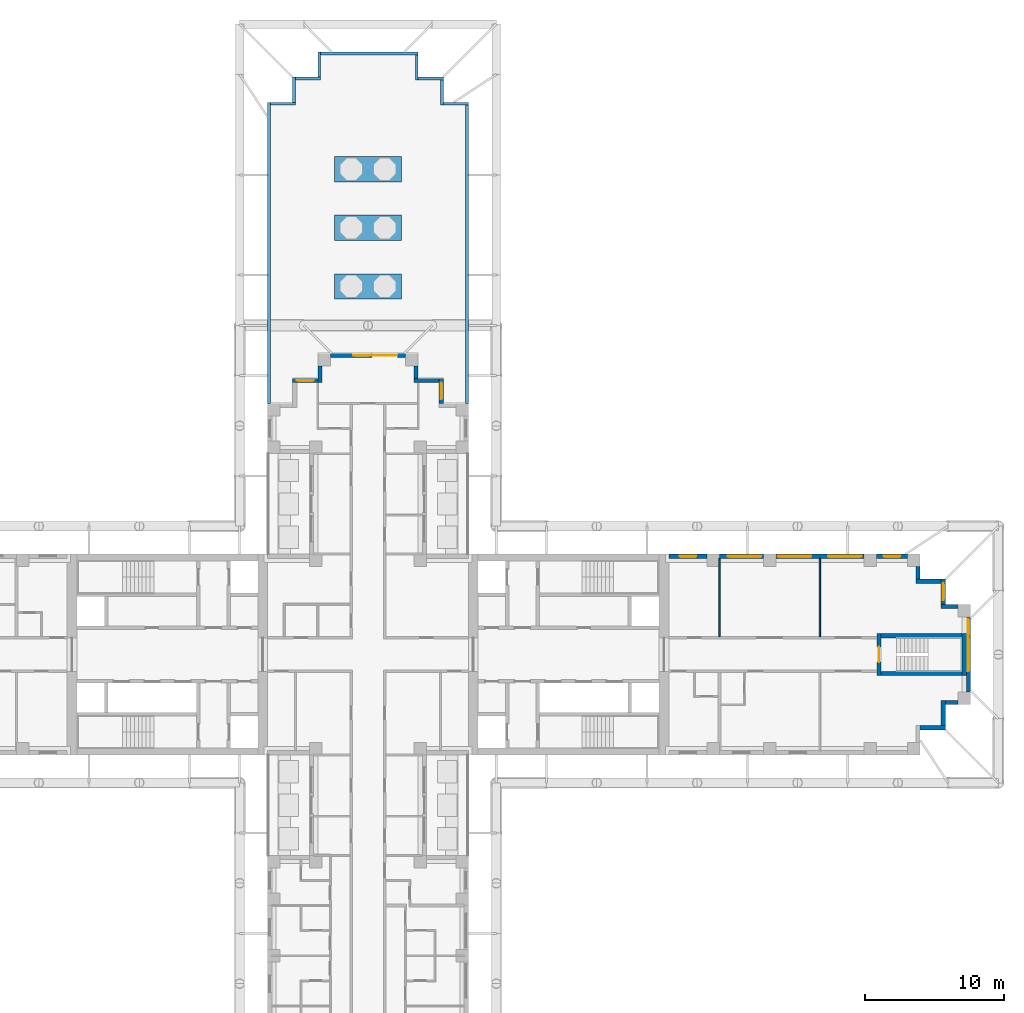
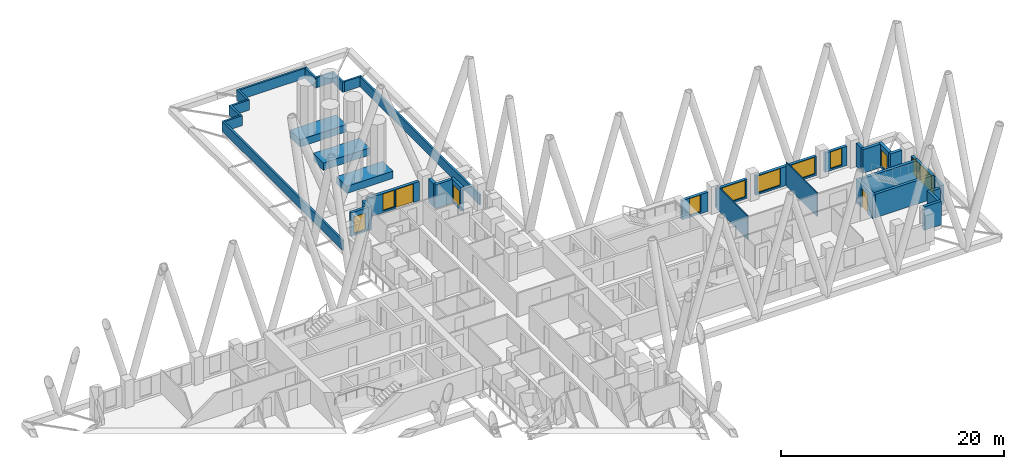
# One storey, part 12 of 16: 38 walls, 11 windows, 2 doors, 13 openings.
"""IFC4 building model written with IfcOpenShell, lengths in metres."""

from ifc_helpers import new_model, si_unit, direction, frame, frame_2d, origin, place, context, subcontext, project, spatial, rectangle, extrude, material, layer, layer_set, type_object, element, fill, save


model = new_model("IFC4")

# Units and contexts
model_context = context("Model", 3, precision=1e-05, world=origin(), true_north=direction((0.0, 1.0)))
body_context = subcontext(model_context, "Body", "Model", "MODEL_VIEW")
ifc_project = project(units=[si_unit("LENGTHUNIT", "METRE"), si_unit("AREAUNIT", "SQUARE_METRE"), si_unit("VOLUMEUNIT", "CUBIC_METRE"), si_unit("PLANEANGLEUNIT", "RADIAN"), si_unit("MASSUNIT", "GRAM", prefix="KILO")], contexts=[model_context])

# Site, building, storey
site_placement = place(None, origin())
site = spatial("IfcSite", under=ifc_project, at=site_placement, CompositionType="ELEMENT")
building_placement = place(site_placement, origin())
building = spatial("IfcBuilding", under=site, at=building_placement, Name="Fustian Cross Tower", CompositionType="ELEMENT")
storey_placement = place(building_placement, frame((0.0, 0.0, 66.89990234375)))
storey = spatial("IfcBuildingStorey", under=building, at=storey_placement, Name="L20", CompositionType="ELEMENT", Elevation=66.89990234375)

# Walls
ifc_material_1 = material(Name="Dark rainscreen cladding on blockwork", Category="masonry")
ifc_layer_1 = layer(ifc_material_1, 0.199951171875)
ifc_layer_set_1 = layer_set([ifc_layer_1], Name="Dark rainscreen cladding on blockwork")
wall_type_1 = type_object("IfcWallType", Name="PARAPET 200", PredefinedType="PARAPET", material=ifc_layer_set_1)
wall_1_placement = place(storey_placement, frame((7.10009765625, 18.0, 0.0), z_axis=(0.0, 0.0, 1.0), x_axis=(0.0, 1.0, 0.0)))
element("IfcWall", 1, at=wall_1_placement, inside=storey, type_object=wall_type_1, Name="Terrace parapet L20 1", PredefinedType="PARAPET", context=body_context, shape_type="SweptSolid", body=[
    extrude(rectangle(XDim=21.39990234375, YDim=0.199951171875, at=frame_2d((10.699951171875, 0.0))), origin(), (0.0, 0.0, 1.0), 1.10009765625),
])
for number, where, z_axis, x_axis, name in (
    (2, (7.199951171875, 39.5, 0.0), (0.0, 0.0, 1.0), (-1.0, 0.0, 0.0), "Terrace parapet L20 2"),
    (3, (5.300048828125, 39.39990234375, 0.0), (0.0, 0.0, 1.0), (0.0, 1.0, 0.0), "Terrace parapet L20 3"),
):
    element("IfcWall", number, at=place(storey_placement, frame(where, z_axis=z_axis, x_axis=x_axis)), inside=storey, type_object=wall_type_1, Name=name, PredefinedType="PARAPET", context=body_context, shape_type="SweptSolid", body=[
        extrude(rectangle(XDim=1.800048828125, YDim=0.199951171875, at=frame_2d((0.89990234375, 0.0))), origin(), (0.0, 0.0, 1.0), 1.10009765625),
    ])
wall_2_placement = place(storey_placement, frame((5.39990234375, 41.300048828125, 0.0), z_axis=(0.0, 0.0, 1.0), x_axis=(-1.0, 0.0, 0.0)))
element("IfcWall", 4, at=wall_2_placement, inside=storey, type_object=wall_type_1, Name="Terrace parapet L20 4", PredefinedType="PARAPET", context=body_context, shape_type="SweptSolid", body=[
    extrude(rectangle(XDim=1.7998046875, YDim=0.199951171875, at=frame_2d((0.89990234375, 0.0))), origin(), (0.0, 0.0, 1.0), 1.10009765625),
])
wall_3_placement = place(storey_placement, frame((3.5, 41.199951171875, 0.0), z_axis=(0.0, 0.0, 1.0), x_axis=(0.0, 1.0, 0.0)))
element("IfcWall", 5, at=wall_3_placement, inside=storey, type_object=wall_type_1, Name="Terrace parapet L20 5", PredefinedType="PARAPET", context=body_context, shape_type="SweptSolid", body=[
    extrude(rectangle(XDim=1.800048828125, YDim=0.199951171875, at=frame_2d((0.89990234375, 0.0))), origin(), (0.0, 0.0, 1.0), 1.10009765625),
])
wall_4_placement = place(storey_placement, frame((3.60009765625, 43.10009765625, 0.0), z_axis=(0.0, 0.0, 1.0), x_axis=(-1.0, 0.0, 0.0)))
element("IfcWall", 6, at=wall_4_placement, inside=storey, type_object=wall_type_1, Name="Terrace parapet L20 6", PredefinedType="PARAPET", context=body_context, shape_type="SweptSolid", body=[
    extrude(rectangle(XDim=7.0, YDim=0.199951171875, at=frame_2d((3.5, 0.0))), origin(), (0.0, 0.0, 1.0), 1.10009765625),
])
for number, where, z_axis, x_axis, name in (
    (7, (-3.5, 43.199951171875, 0.0), (0.0, 0.0, 1.0), (0.0, -1.0, 0.0), "Terrace parapet L20 7"),
    (8, (-3.39990234375, 41.300048828125, 0.0), (0.0, 0.0, 1.0), (-1.0, 0.0, 0.0), "Terrace parapet L20 8"),
):
    element("IfcWall", number, at=place(storey_placement, frame(where, z_axis=z_axis, x_axis=x_axis)), inside=storey, type_object=wall_type_1, Name=name, PredefinedType="PARAPET", context=body_context, shape_type="SweptSolid", body=[
        extrude(rectangle(XDim=1.800048828125, YDim=0.199951171875, at=frame_2d((0.89990234375, 0.0))), origin(), (0.0, 0.0, 1.0), 1.10009765625),
    ])
wall_5_placement = place(storey_placement, frame((-5.300048828125, 41.39990234375, 0.0), z_axis=(0.0, 0.0, 1.0), x_axis=(0.0, -1.0, 0.0)))
element("IfcWall", 9, at=wall_5_placement, inside=storey, type_object=wall_type_1, Name="Terrace parapet L20 9", PredefinedType="PARAPET", context=body_context, shape_type="SweptSolid", body=[
    extrude(rectangle(XDim=1.7998046875, YDim=0.199951171875, at=frame_2d((0.89990234375, 0.0))), origin(), (0.0, 0.0, 1.0), 1.10009765625),
])
wall_6_placement = place(storey_placement, frame((-5.199951171875, 39.5, 0.0), z_axis=(0.0, 0.0, 1.0), x_axis=(-1.0, 0.0, 0.0)))
element("IfcWall", 10, at=wall_6_placement, inside=storey, type_object=wall_type_1, Name="Terrace parapet L20 10", PredefinedType="PARAPET", context=body_context, shape_type="SweptSolid", body=[
    extrude(rectangle(XDim=1.800048828125, YDim=0.199951171875, at=frame_2d((0.89990234375, 0.0))), origin(), (0.0, 0.0, 1.0), 1.10009765625),
])
wall_7_placement = place(storey_placement, frame((-7.10009765625, 39.60009765625, 0.0), z_axis=(0.0, 0.0, 1.0), x_axis=(0.0, -1.0, 0.0)))
element("IfcWall", 11, at=wall_7_placement, inside=storey, type_object=wall_type_1, Name="Terrace parapet L20 11", PredefinedType="PARAPET", context=body_context, shape_type="SweptSolid", body=[
    extrude(rectangle(XDim=21.60009765625, YDim=0.199951171875, at=frame_2d((10.800048828125, 0.0))), origin(), (0.0, 0.0, 1.0), 1.10009765625),
])
ifc_material_2 = material(Name="Plasterboard on steel stud", Category="steel")
ifc_layer_2 = layer(ifc_material_2, 0.10009765625)
ifc_layer_set_2 = layer_set([ifc_layer_2], Name="Plasterboard on steel stud")
wall_type_2 = type_object("IfcWallType", Name="PARTITION 100 STUD", PredefinedType="PARTITIONING", material=ifc_layer_set_2)
for number, where, z_axis, x_axis, name in (
    (12, (25.199951171875, 1.27490234375, 0.0), (0.0, 0.0, 1.0), (0.0, 1.0, 0.0), "Partition 90"),
    (13, (32.39990234375, 1.27490234375, 0.0), (0.0, 0.0, 1.0), (0.0, 1.0, 0.0), "Partition 93"),
):
    element("IfcWall", number, at=place(storey_placement, frame(where, z_axis=z_axis, x_axis=x_axis)), inside=storey, type_object=wall_type_2, Name=name, PredefinedType="PARTITIONING", context=body_context, shape_type="SweptSolid", body=[
        extrude(rectangle(XDim=5.625, YDim=0.10009765625, at=frame_2d((2.8125, 0.0))), origin(), (0.0, 0.0, 1.0), 2.5751953125),
    ])
ifc_material_3 = material(Name="Concrete C40/50", Category="concrete")
ifc_layer_3 = layer(ifc_material_3, 1.800048828125)
ifc_layer_set_3 = layer_set([ifc_layer_3], Name="Concrete C40/50")
wall_type_3 = type_object("IfcWallType", Name="PLANTER KERB 1800", PredefinedType="SOLIDWALL", material=ifc_layer_set_3)
for number, where, z_axis, x_axis, name in (
    (14, (-2.39990234375, 26.39990234375, 0.0), (0.0, 0.0, 1.0), (1.0, 0.0, 0.0), "PLANTER L2011"),
    (15, (-2.39990234375, 30.60009765625, 0.0), (0.0, 0.0, 1.0), (1.0, 0.0, 0.0), "PLANTER L2012"),
    (16, (-2.39990234375, 34.800048828125, 0.0), (0.0, 0.0, 1.0), (1.0, 0.0, 0.0), "PLANTER L2013"),
):
    element("IfcWall", number, at=place(storey_placement, frame(where, z_axis=z_axis, x_axis=x_axis)), inside=storey, type_object=wall_type_3, Name=name, PredefinedType="SOLIDWALL", context=body_context, shape_type="SweptSolid", body=[
        extrude(rectangle(XDim=4.7998046875, YDim=1.800048828125, at=frame_2d((2.39990234375, 0.0))), origin(), (0.0, 0.0, 1.0), 0.800048828125),
    ])

# Wall, opening, door
ifc_material_4 = material(Name="Concrete C50/60", Category="concrete")
ifc_layer_4 = layer(ifc_material_4, 0.300048828125)
ifc_layer_set_4 = layer_set([ifc_layer_4], Name="Concrete C50/60")
wall_type_4 = type_object("IfcWallType", Name="STAIR ENCLOSURE WALL 300 C50/60", PredefinedType="SHEAR", material=ifc_layer_set_4)
wall_8_placement = place(storey_placement, frame((36.64990234375, -1.5, 0.0), z_axis=(0.0, 0.0, 1.0), x_axis=(0.0, 1.0, 0.0)))
wall_8 = element("IfcWall", 17, at=wall_8_placement, inside=storey, type_object=wall_type_4, Name="Stair enclosure wall", PredefinedType="SHEAR", context=body_context, shape_type="SweptSolid", body=[
    extrude(rectangle(XDim=3.0, YDim=0.300048828125, at=frame_2d((1.5, 0.0))), origin(), (0.0, 0.0, 1.0), 2.5751953125),
])
opening_1_placement = place(wall_8_placement, frame((0.949951171875, 0.0, 0.0)))
opening_1 = element("IfcOpeningElement", 18, at=opening_1_placement, cuts=wall_8, Name="Opening CD-09-30", PredefinedType="OPENING", context=body_context, shape_type="SweptSolid", body=[
    extrude(rectangle(XDim=1.10009765625, YDim=2.10009765625, at=frame_2d((0.550048828125, 1.050048828125))), frame((0.0, 0.159912109375, 0.0), z_axis=(0.0, -1.0, 0.0), x_axis=(1.0, 0.0, 0.0)), (0.0, 0.0, 1.0), 0.320068359375),
])
ifc_material_5 = material(Name="Steel", Category="steel")
door_type_1 = type_object("IfcDoorType", Name="FIRE DOOR FD60S 1100X2100", OperationType="SINGLE_SWING_LEFT", PredefinedType="DOOR", material=ifc_material_5)
door_1_placement = place(opening_1_placement, frame((1.10009765625, 0.0, 0.0), z_axis=(0.0, 0.0, 1.0), x_axis=(-1.0, 0.0, 0.0)))
door_1 = element("IfcDoor", 19, at=door_1_placement, inside=storey, type_object=door_type_1, Name="Core door CD-09-30", OperationType="SINGLE_SWING_RIGHT", OverallHeight=2.10009765625, OverallWidth=1.10009765625, PredefinedType="DOOR", context=body_context, shape_type="SweptSolid", body=[
    extrude(rectangle(XDim=1.10009765625, YDim=2.10009765625, at=frame_2d((0.550048828125, 1.050048828125))), frame((0.0, 0.02490234375, 0.0), z_axis=(0.0, -1.0, 0.0), x_axis=(1.0, 0.0, 0.0)), (0.0, 0.0, 1.0), 0.050048828125),
])
fill(opening_1, door_1)

# Walls
wall_9_placement = place(storey_placement, frame((42.75, -1.5, 0.0), z_axis=(0.0, 0.0, 1.0), x_axis=(0.0, 1.0, 0.0)))
element("IfcWall", 20, at=wall_9_placement, inside=storey, type_object=wall_type_4, Name="Stair enclosure wall", PredefinedType="SHEAR", context=body_context, shape_type="SweptSolid", body=[
    extrude(rectangle(XDim=3.0, YDim=0.300048828125, at=frame_2d((1.5, 0.0))), origin(), (0.0, 0.0, 1.0), 2.5751953125),
])
for number, where, z_axis, x_axis, name in (
    (21, (36.800048828125, -1.35009765625, 0.0), (0.0, 0.0, 1.0), (1.0, 0.0, 0.0), "Stair enclosure wall"),
    (22, (36.800048828125, 1.35009765625, 0.0), (0.0, 0.0, 1.0), (1.0, 0.0, 0.0), "Stair enclosure wall"),
):
    element("IfcWall", number, at=place(storey_placement, frame(where, z_axis=z_axis, x_axis=x_axis)), inside=storey, type_object=wall_type_4, Name=name, PredefinedType="SHEAR", context=body_context, shape_type="SweptSolid", body=[
        extrude(rectangle(XDim=5.800048828125, YDim=0.300048828125, at=frame_2d((2.89990234375, 0.0))), origin(), (0.0, 0.0, 1.0), 2.5751953125),
    ])
ifc_material_6 = material(Name="Dark aluminium cladding on insulated backing wall", Category="aluminium")
ifc_layer_5 = layer(ifc_material_6, 0.300048828125)
ifc_layer_set_5 = layer_set([ifc_layer_5], Name="Dark aluminium cladding on insulated backing wall")
wall_type_5 = type_object("IfcWallType", Name="XW1 EXTERNAL WALL 300", PredefinedType="SOLIDWALL", material=ifc_layer_set_5)
wall_10_placement = place(storey_placement, frame((39.60009765625, -5.25, 0.0), z_axis=(0.0, 0.0, 1.0), x_axis=(1.0, 0.0, 0.0)))
element("IfcWall", 23, at=wall_10_placement, inside=storey, type_object=wall_type_5, Name="External wall", PredefinedType="SOLIDWALL", context=body_context, shape_type="SweptSolid", body=[
    extrude(rectangle(XDim=1.7998046875, YDim=0.300048828125, at=frame_2d((0.89990234375, 0.0))), origin(), (0.0, 0.0, 1.0), 2.5751953125),
])
wall_11_placement = place(storey_placement, frame((41.25, -5.10009765625, 0.0), z_axis=(0.0, 0.0, 1.0), x_axis=(0.0, 1.0, 0.0)))
element("IfcWall", 24, at=wall_11_placement, inside=storey, type_object=wall_type_5, Name="External wall", PredefinedType="SOLIDWALL", context=body_context, shape_type="SweptSolid", body=[
    extrude(rectangle(XDim=1.800048828125, YDim=0.300048828125, at=frame_2d((0.89990234375, 0.0))), origin(), (0.0, 0.0, 1.0), 2.5751953125),
])
wall_12_placement = place(storey_placement, frame((41.39990234375, -3.449951171875, 0.0), z_axis=(0.0, 0.0, 1.0), x_axis=(1.0, 0.0, 0.0)))
element("IfcWall", 25, at=wall_12_placement, inside=storey, type_object=wall_type_5, Name="External wall", PredefinedType="SOLIDWALL", context=body_context, shape_type="SweptSolid", body=[
    extrude(rectangle(XDim=0.900146484375, YDim=0.300048828125, at=frame_2d((0.4501953125, 0.0))), origin(), (0.0, 0.0, 1.0), 2.5751953125),
])

# Wall, openings, windows
wall_13_placement = place(storey_placement, frame((43.050048828125, -2.699951171875, 0.0), z_axis=(0.0, 0.0, 1.0), x_axis=(0.0, 1.0, 0.0)))
wall_13 = element("IfcWall", 26, at=wall_13_placement, inside=storey, type_object=wall_type_5, Name="External wall", PredefinedType="SOLIDWALL", context=body_context, shape_type="SweptSolid", body=[
    extrude(rectangle(XDim=5.39990234375, YDim=0.300048828125, at=frame_2d((2.699951171875, 0.0))), origin(), (0.0, 0.0, 1.0), 2.10009765625),
])
opening_2_placement = place(wall_13_placement, frame((1.5, 0.0, 0.199951171875)))
opening_2 = element("IfcOpeningElement", 27, at=opening_2_placement, cuts=wall_13, Name="Opening WN1", PredefinedType="OPENING", context=body_context, shape_type="SweptSolid", body=[
    extrude(rectangle(XDim=2.39990234375, YDim=1.85009765625, at=frame_2d((1.199951171875, 0.925048828125))), frame((0.0, 0.159912109375, 0.0), z_axis=(0.0, -1.0, 0.0), x_axis=(1.0, 0.0, 0.0)), (0.0, 0.0, 1.0), 0.320068359375),
])
opening_3_placement = place(wall_13_placement, frame((4.050048828125, 0.0, 0.199951171875)))
opening_3 = element("IfcOpeningElement", 28, at=opening_3_placement, cuts=wall_13, Name="Opening WN3", PredefinedType="OPENING", context=body_context, shape_type="SweptSolid", body=[
    extrude(rectangle(XDim=1.199951171875, YDim=1.85009765625, at=frame_2d((0.60009765625, 0.925048828125))), frame((0.0, 0.159912109375, 0.0), z_axis=(0.0, -1.0, 0.0), x_axis=(1.0, 0.0, 0.0)), (0.0, 0.0, 1.0), 0.320068359375),
])
ifc_material_7 = material(Name="Dark anodised aluminium and double glazing", Category="aluminium")
window_type_1 = type_object("IfcWindowType", Name="WN1 WINDOW 2400X1850", PartitioningType="SINGLE_PANEL", PredefinedType="WINDOW", material=ifc_material_7)
window_1_placement = place(opening_2_placement, origin())
window_1 = element("IfcWindow", 29, at=window_1_placement, inside=storey, type_object=window_type_1, Name="Window", OverallHeight=1.85009765625, OverallWidth=2.39990234375, PartitioningType="SINGLE_PANEL", PredefinedType="WINDOW", context=body_context, shape_type="SweptSolid", body=[
    extrude(rectangle(XDim=2.39990234375, YDim=1.85009765625, at=frame_2d((1.199951171875, 0.925048828125))), frame((0.0, 0.030029296875, 0.0), z_axis=(0.0, -1.0, 0.0), x_axis=(1.0, 0.0, 0.0)), (0.0, 0.0, 1.0), 0.06005859375),
])
fill(opening_2, window_1)
ifc_material_8 = material(Name="Dark anodised aluminium and double glazing", Category="aluminium")
window_type_2 = type_object("IfcWindowType", Name="WN3 WINDOW 1200X1850", PartitioningType="SINGLE_PANEL", PredefinedType="WINDOW", material=ifc_material_8)
window_2_placement = place(opening_3_placement, origin())
window_2 = element("IfcWindow", 30, at=window_2_placement, inside=storey, type_object=window_type_2, Name="Window", OverallHeight=1.85009765625, OverallWidth=1.199951171875, PartitioningType="SINGLE_PANEL", PredefinedType="WINDOW", context=body_context, shape_type="SweptSolid", body=[
    extrude(rectangle(XDim=1.199951171875, YDim=1.85009765625, at=frame_2d((0.60009765625, 0.925048828125))), frame((0.0, 0.030029296875, 0.0), z_axis=(0.0, -1.0, 0.0), x_axis=(1.0, 0.0, 0.0)), (0.0, 0.0, 1.0), 0.06005859375),
])
fill(opening_3, window_2)

# Wall
wall_14_placement = place(storey_placement, frame((42.300048828125, 3.449951171875, 0.0), z_axis=(0.0, 0.0, 1.0), x_axis=(-1.0, 0.0, 0.0)))
element("IfcWall", 31, at=wall_14_placement, inside=storey, type_object=wall_type_5, Name="External wall", PredefinedType="SOLIDWALL", context=body_context, shape_type="SweptSolid", body=[
    extrude(rectangle(XDim=1.199951171875, YDim=0.300048828125, at=frame_2d((0.60009765625, 0.0))), origin(), (0.0, 0.0, 1.0), 2.5751953125),
])

# Wall, opening, window
wall_15_placement = place(storey_placement, frame((41.25, 3.60009765625, 0.0), z_axis=(0.0, 0.0, 1.0), x_axis=(0.0, 1.0, 0.0)))
wall_15 = element("IfcWall", 32, at=wall_15_placement, inside=storey, type_object=wall_type_5, Name="External wall", PredefinedType="SOLIDWALL", context=body_context, shape_type="SweptSolid", body=[
    extrude(rectangle(XDim=1.7998046875, YDim=0.300048828125, at=frame_2d((0.89990234375, 0.0))), origin(), (0.0, 0.0, 1.0), 2.5751953125),
])
opening_4_placement = place(wall_15_placement, frame((0.300048828125, 0.0, 0.199951171875)))
opening_4 = element("IfcOpeningElement", 33, at=opening_4_placement, cuts=wall_15, Name="Opening WN3", PredefinedType="OPENING", context=body_context, shape_type="SweptSolid", body=[
    extrude(rectangle(XDim=1.199951171875, YDim=1.85009765625, at=frame_2d((0.60009765625, 0.925048828125))), frame((0.0, 0.159912109375, 0.0), z_axis=(0.0, -1.0, 0.0), x_axis=(1.0, 0.0, 0.0)), (0.0, 0.0, 1.0), 0.320068359375),
])
window_3_placement = place(opening_4_placement, origin())
window_3 = element("IfcWindow", 34, at=window_3_placement, inside=storey, type_object=window_type_2, Name="Window", OverallHeight=1.85009765625, OverallWidth=1.199951171875, PartitioningType="SINGLE_PANEL", PredefinedType="WINDOW", context=body_context, shape_type="SweptSolid", body=[
    extrude(rectangle(XDim=1.199951171875, YDim=1.85009765625, at=frame_2d((0.60009765625, 0.925048828125))), frame((0.0, 0.030029296875, 0.0), z_axis=(0.0, -1.0, 0.0), x_axis=(1.0, 0.0, 0.0)), (0.0, 0.0, 1.0), 0.06005859375),
])
fill(opening_4, window_3)

# Walls
wall_16_placement = place(storey_placement, frame((41.10009765625, 5.25, 0.0), z_axis=(0.0, 0.0, 1.0), x_axis=(-1.0, 0.0, 0.0)))
element("IfcWall", 35, at=wall_16_placement, inside=storey, type_object=wall_type_5, Name="External wall", PredefinedType="SOLIDWALL", context=body_context, shape_type="SweptSolid", body=[
    extrude(rectangle(XDim=1.800048828125, YDim=0.300048828125, at=frame_2d((0.89990234375, 0.0))), origin(), (0.0, 0.0, 1.0), 2.5751953125),
])
wall_17_placement = place(storey_placement, frame((39.449951171875, 5.39990234375, 0.0), z_axis=(0.0, 0.0, 1.0), x_axis=(0.0, 1.0, 0.0)))
element("IfcWall", 36, at=wall_17_placement, inside=storey, type_object=wall_type_5, Name="External wall", PredefinedType="SOLIDWALL", context=body_context, shape_type="SweptSolid", body=[
    extrude(rectangle(XDim=0.900146484375, YDim=0.300048828125, at=frame_2d((0.4501953125, 0.0))), origin(), (0.0, 0.0, 1.0), 2.5751953125),
])

# Wall, opening, window
wall_18_placement = place(storey_placement, frame((38.699951171875, 7.050048828125, 0.0), z_axis=(0.0, 0.0, 1.0), x_axis=(-1.0, 0.0, 0.0)))
wall_18 = element("IfcWall", 37, at=wall_18_placement, inside=storey, type_object=wall_type_5, Name="External wall", PredefinedType="SOLIDWALL", context=body_context, shape_type="SweptSolid", body=[
    extrude(rectangle(XDim=2.25, YDim=0.300048828125, at=frame_2d((1.125, 0.0))), origin(), (0.0, 0.0, 1.0), 2.10009765625),
])
opening_5_placement = place(wall_18_placement, frame((0.52490234375, 0.0, 0.199951171875)))
opening_5 = element("IfcOpeningElement", 38, at=opening_5_placement, cuts=wall_18, Name="Opening WN3", PredefinedType="OPENING", context=body_context, shape_type="SweptSolid", body=[
    extrude(rectangle(XDim=1.199951171875, YDim=1.85009765625, at=frame_2d((0.60009765625, 0.925048828125))), frame((0.0, 0.159912109375, 0.0), z_axis=(0.0, -1.0, 0.0), x_axis=(1.0, 0.0, 0.0)), (0.0, 0.0, 1.0), 0.320068359375),
])
window_4_placement = place(opening_5_placement, origin())
window_4 = element("IfcWindow", 39, at=window_4_placement, inside=storey, type_object=window_type_2, Name="Window", OverallHeight=1.85009765625, OverallWidth=1.199951171875, PartitioningType="SINGLE_PANEL", PredefinedType="WINDOW", context=body_context, shape_type="SweptSolid", body=[
    extrude(rectangle(XDim=1.199951171875, YDim=1.85009765625, at=frame_2d((0.60009765625, 0.925048828125))), frame((0.0, 0.030029296875, 0.0), z_axis=(0.0, -1.0, 0.0), x_axis=(1.0, 0.0, 0.0)), (0.0, 0.0, 1.0), 0.06005859375),
])
fill(opening_5, window_4)

# Wall, openings, windows
wall_19_placement = place(storey_placement, frame((35.550048828125, 7.050048828125, 0.0), z_axis=(0.0, 0.0, 1.0), x_axis=(-1.0, 0.0, 0.0)))
wall_19 = element("IfcWall", 40, at=wall_19_placement, inside=storey, type_object=wall_type_5, Name="External wall", PredefinedType="SOLIDWALL", context=body_context, shape_type="SweptSolid", body=[
    extrude(rectangle(XDim=6.300048828125, YDim=0.300048828125, at=frame_2d((3.14990234375, 0.0))), origin(), (0.0, 0.0, 1.0), 2.10009765625),
])
opening_6_placement = place(wall_19_placement, frame((0.14990234375, 0.0, 0.199951171875)))
opening_6 = element("IfcOpeningElement", 41, at=opening_6_placement, cuts=wall_19, Name="Opening WN1", PredefinedType="OPENING", context=body_context, shape_type="SweptSolid", body=[
    extrude(rectangle(XDim=2.39990234375, YDim=1.85009765625, at=frame_2d((1.199951171875, 0.925048828125))), frame((0.0, 0.159912109375, 0.0), z_axis=(0.0, -1.0, 0.0), x_axis=(1.0, 0.0, 0.0)), (0.0, 0.0, 1.0), 0.320068359375),
])
opening_7_placement = place(wall_19_placement, frame((3.75, 0.0, 0.199951171875)))
opening_7 = element("IfcOpeningElement", 42, at=opening_7_placement, cuts=wall_19, Name="Opening WN1", PredefinedType="OPENING", context=body_context, shape_type="SweptSolid", body=[
    extrude(rectangle(XDim=2.39990234375, YDim=1.85009765625, at=frame_2d((1.199951171875, 0.925048828125))), frame((0.0, 0.159912109375, 0.0), z_axis=(0.0, -1.0, 0.0), x_axis=(1.0, 0.0, 0.0)), (0.0, 0.0, 1.0), 0.320068359375),
])
window_5_placement = place(opening_6_placement, origin())
window_5 = element("IfcWindow", 43, at=window_5_placement, inside=storey, type_object=window_type_1, Name="Window", OverallHeight=1.85009765625, OverallWidth=2.39990234375, PartitioningType="SINGLE_PANEL", PredefinedType="WINDOW", context=body_context, shape_type="SweptSolid", body=[
    extrude(rectangle(XDim=2.39990234375, YDim=1.85009765625, at=frame_2d((1.199951171875, 0.925048828125))), frame((0.0, 0.030029296875, 0.0), z_axis=(0.0, -1.0, 0.0), x_axis=(1.0, 0.0, 0.0)), (0.0, 0.0, 1.0), 0.06005859375),
])
fill(opening_6, window_5)
window_6_placement = place(opening_7_placement, origin())
window_6 = element("IfcWindow", 44, at=window_6_placement, inside=storey, type_object=window_type_1, Name="Window", OverallHeight=1.85009765625, OverallWidth=2.39990234375, PartitioningType="SINGLE_PANEL", PredefinedType="WINDOW", context=body_context, shape_type="SweptSolid", body=[
    extrude(rectangle(XDim=2.39990234375, YDim=1.85009765625, at=frame_2d((1.199951171875, 0.925048828125))), frame((0.0, 0.030029296875, 0.0), z_axis=(0.0, -1.0, 0.0), x_axis=(1.0, 0.0, 0.0)), (0.0, 0.0, 1.0), 0.06005859375),
])
fill(opening_7, window_6)

# Wall, opening, window
wall_20_placement = place(storey_placement, frame((28.35009765625, 7.050048828125, 0.0), z_axis=(0.0, 0.0, 1.0), x_axis=(-1.0, 0.0, 0.0)))
wall_20 = element("IfcWall", 45, at=wall_20_placement, inside=storey, type_object=wall_type_5, Name="External wall", PredefinedType="SOLIDWALL", context=body_context, shape_type="SweptSolid", body=[
    extrude(rectangle(XDim=3.150146484375, YDim=0.300048828125, at=frame_2d((1.5751953125, 0.0))), origin(), (0.0, 0.0, 1.0), 2.10009765625),
])
opening_8_placement = place(wall_20_placement, frame((0.14990234375, 0.0, 0.199951171875)))
opening_8 = element("IfcOpeningElement", 46, at=opening_8_placement, cuts=wall_20, Name="Opening WN1", PredefinedType="OPENING", context=body_context, shape_type="SweptSolid", body=[
    extrude(rectangle(XDim=2.39990234375, YDim=1.85009765625, at=frame_2d((1.199951171875, 0.925048828125))), frame((0.0, 0.159912109375, 0.0), z_axis=(0.0, -1.0, 0.0), x_axis=(1.0, 0.0, 0.0)), (0.0, 0.0, 1.0), 0.320068359375),
])
window_7_placement = place(opening_8_placement, origin())
window_7 = element("IfcWindow", 47, at=window_7_placement, inside=storey, type_object=window_type_1, Name="Window", OverallHeight=1.85009765625, OverallWidth=2.39990234375, PartitioningType="SINGLE_PANEL", PredefinedType="WINDOW", context=body_context, shape_type="SweptSolid", body=[
    extrude(rectangle(XDim=2.39990234375, YDim=1.85009765625, at=frame_2d((1.199951171875, 0.925048828125))), frame((0.0, 0.030029296875, 0.0), z_axis=(0.0, -1.0, 0.0), x_axis=(1.0, 0.0, 0.0)), (0.0, 0.0, 1.0), 0.06005859375),
])
fill(opening_8, window_7)

wall_21_placement = place(storey_placement, frame((24.300048828125, 7.050048828125, 0.0), z_axis=(0.0, 0.0, 1.0), x_axis=(-1.0, 0.0, 0.0)))
wall_21 = element("IfcWall", 48, at=wall_21_placement, inside=storey, type_object=wall_type_5, Name="External wall", PredefinedType="SOLIDWALL", context=body_context, shape_type="SweptSolid", body=[
    extrude(rectangle(XDim=2.699951171875, YDim=0.300048828125, at=frame_2d((1.35009765625, 0.0))), origin(), (0.0, 0.0, 1.0), 2.10009765625),
])
opening_9_placement = place(wall_21_placement, frame((0.75, 0.0, 0.199951171875)))
opening_9 = element("IfcOpeningElement", 49, at=opening_9_placement, cuts=wall_21, Name="Opening WN3", PredefinedType="OPENING", context=body_context, shape_type="SweptSolid", body=[
    extrude(rectangle(XDim=1.199951171875, YDim=1.85009765625, at=frame_2d((0.60009765625, 0.925048828125))), frame((0.0, 0.159912109375, 0.0), z_axis=(0.0, -1.0, 0.0), x_axis=(1.0, 0.0, 0.0)), (0.0, 0.0, 1.0), 0.320068359375),
])
window_8_placement = place(opening_9_placement, origin())
window_8 = element("IfcWindow", 50, at=window_8_placement, inside=storey, type_object=window_type_2, Name="Window", OverallHeight=1.85009765625, OverallWidth=1.199951171875, PartitioningType="SINGLE_PANEL", PredefinedType="WINDOW", context=body_context, shape_type="SweptSolid", body=[
    extrude(rectangle(XDim=1.199951171875, YDim=1.85009765625, at=frame_2d((0.60009765625, 0.925048828125))), frame((0.0, 0.030029296875, 0.0), z_axis=(0.0, -1.0, 0.0), x_axis=(1.0, 0.0, 0.0)), (0.0, 0.0, 1.0), 0.06005859375),
])
fill(opening_9, window_8)

wall_22_placement = place(storey_placement, frame((5.25, 18.0, 0.0), z_axis=(0.0, 0.0, 1.0), x_axis=(0.0, 1.0, 0.0)))
wall_22 = element("IfcWall", 51, at=wall_22_placement, inside=storey, type_object=wall_type_5, Name="External wall", PredefinedType="SOLIDWALL", context=body_context, shape_type="SweptSolid", body=[
    extrude(rectangle(XDim=1.800048828125, YDim=0.300048828125, at=frame_2d((0.89990234375, 0.0))), origin(), (0.0, 0.0, 1.0), 2.5751953125),
])
opening_10_placement = place(wall_22_placement, frame((0.300048828125, 0.0, 0.199951171875)))
opening_10 = element("IfcOpeningElement", 52, at=opening_10_placement, cuts=wall_22, Name="Opening WN3", PredefinedType="OPENING", context=body_context, shape_type="SweptSolid", body=[
    extrude(rectangle(XDim=1.199951171875, YDim=1.85009765625, at=frame_2d((0.60009765625, 0.925048828125))), frame((0.0, 0.159912109375, 0.0), z_axis=(0.0, -1.0, 0.0), x_axis=(1.0, 0.0, 0.0)), (0.0, 0.0, 1.0), 0.320068359375),
])
window_9_placement = place(opening_10_placement, origin())
window_9 = element("IfcWindow", 53, at=window_9_placement, inside=storey, type_object=window_type_2, Name="Window", OverallHeight=1.85009765625, OverallWidth=1.199951171875, PartitioningType="SINGLE_PANEL", PredefinedType="WINDOW", context=body_context, shape_type="SweptSolid", body=[
    extrude(rectangle(XDim=1.199951171875, YDim=1.85009765625, at=frame_2d((0.60009765625, 0.925048828125))), frame((0.0, 0.030029296875, 0.0), z_axis=(0.0, -1.0, 0.0), x_axis=(1.0, 0.0, 0.0)), (0.0, 0.0, 1.0), 0.06005859375),
])
fill(opening_10, window_9)

# Walls
wall_23_placement = place(storey_placement, frame((5.10009765625, 19.64990234375, 0.0), z_axis=(0.0, 0.0, 1.0), x_axis=(-1.0, 0.0, 0.0)))
element("IfcWall", 54, at=wall_23_placement, inside=storey, type_object=wall_type_5, Name="External wall", PredefinedType="SOLIDWALL", context=body_context, shape_type="SweptSolid", body=[
    extrude(rectangle(XDim=1.800048828125, YDim=0.300048828125, at=frame_2d((0.89990234375, 0.0))), origin(), (0.0, 0.0, 1.0), 2.5751953125),
])
wall_24_placement = place(storey_placement, frame((3.449951171875, 19.800048828125, 0.0), z_axis=(0.0, 0.0, 1.0), x_axis=(0.0, 1.0, 0.0)))
element("IfcWall", 55, at=wall_24_placement, inside=storey, type_object=wall_type_5, Name="External wall", PredefinedType="SOLIDWALL", context=body_context, shape_type="SweptSolid", body=[
    extrude(rectangle(XDim=0.89990234375, YDim=0.300048828125, at=frame_2d((0.449951171875, 0.0))), origin(), (0.0, 0.0, 1.0), 2.5751953125),
])

# Wall, openings, door, window
wall_25_placement = place(storey_placement, frame((2.699951171875, 21.449951171875, 0.0), z_axis=(0.0, 0.0, 1.0), x_axis=(-1.0, 0.0, 0.0)))
wall_25 = element("IfcWall", 56, at=wall_25_placement, inside=storey, type_object=wall_type_5, Name="External wall", PredefinedType="SOLIDWALL", context=body_context, shape_type="SweptSolid", body=[
    extrude(rectangle(XDim=5.39990234375, YDim=0.300048828125, at=frame_2d((2.699951171875, 0.0))), origin(), (0.0, 0.0, 1.0), 2.10009765625),
])
opening_11_placement = place(wall_25_placement, frame((0.60009765625, 0.0, 0.0)))
opening_11 = element("IfcOpeningElement", 57, at=opening_11_placement, cuts=wall_25, Name="Opening XD5", PredefinedType="OPENING", context=body_context, shape_type="SweptSolid", body=[
    extrude(rectangle(XDim=1.800048828125, YDim=2.050048828125, at=frame_2d((0.89990234375, 1.02490234375))), frame((0.0, 0.159912109375, 0.0), z_axis=(0.0, -1.0, 0.0), x_axis=(1.0, 0.0, 0.0)), (0.0, 0.0, 1.0), 0.320068359375),
])
opening_12_placement = place(wall_25_placement, frame((2.550048828125, 0.0, 0.199951171875)))
opening_12 = element("IfcOpeningElement", 58, at=opening_12_placement, cuts=wall_25, Name="Opening WN3", PredefinedType="OPENING", context=body_context, shape_type="SweptSolid", body=[
    extrude(rectangle(XDim=1.199951171875, YDim=1.85009765625, at=frame_2d((0.60009765625, 0.925048828125))), frame((0.0, 0.159912109375, 0.0), z_axis=(0.0, -1.0, 0.0), x_axis=(1.0, 0.0, 0.0)), (0.0, 0.0, 1.0), 0.320068359375),
])
ifc_material_9 = material(Name="Dark anodised aluminium and double glazing", Category="aluminium")
door_type_2 = type_object("IfcDoorType", Name="ED2 TERRACE DOOR 1800X2050", OperationType="SINGLE_SWING_LEFT", PredefinedType="DOOR", material=ifc_material_9)
door_2_placement = place(opening_11_placement, origin())
door_2 = element("IfcDoor", 59, at=door_2_placement, inside=storey, type_object=door_type_2, Name="Terrace door", OperationType="SINGLE_SWING_LEFT", OverallHeight=2.050048828125, OverallWidth=1.800048828125, PredefinedType="DOOR", context=body_context, shape_type="SweptSolid", body=[
    extrude(rectangle(XDim=1.800048828125, YDim=2.050048828125, at=frame_2d((0.89990234375, 1.02490234375))), frame((0.0, 0.02490234375, 0.0), z_axis=(0.0, -1.0, 0.0), x_axis=(1.0, 0.0, 0.0)), (0.0, 0.0, 1.0), 0.050048828125),
])
fill(opening_11, door_2)
window_10_placement = place(opening_12_placement, origin())
window_10 = element("IfcWindow", 60, at=window_10_placement, inside=storey, type_object=window_type_2, Name="Window", OverallHeight=1.85009765625, OverallWidth=1.199951171875, PartitioningType="SINGLE_PANEL", PredefinedType="WINDOW", context=body_context, shape_type="SweptSolid", body=[
    extrude(rectangle(XDim=1.199951171875, YDim=1.85009765625, at=frame_2d((0.60009765625, 0.925048828125))), frame((0.0, 0.030029296875, 0.0), z_axis=(0.0, -1.0, 0.0), x_axis=(1.0, 0.0, 0.0)), (0.0, 0.0, 1.0), 0.06005859375),
])
fill(opening_12, window_10)

# Wall
wall_26_placement = place(storey_placement, frame((-3.449951171875, 20.699951171875, 0.0), z_axis=(0.0, 0.0, 1.0), x_axis=(0.0, -1.0, 0.0)))
element("IfcWall", 61, at=wall_26_placement, inside=storey, type_object=wall_type_5, Name="External wall", PredefinedType="SOLIDWALL", context=body_context, shape_type="SweptSolid", body=[
    extrude(rectangle(XDim=1.199951171875, YDim=0.300048828125, at=frame_2d((0.60009765625, 0.0))), origin(), (0.0, 0.0, 1.0), 2.5751953125),
])

# Wall, opening, window
wall_27_placement = place(storey_placement, frame((-3.60009765625, 19.64990234375, 0.0), z_axis=(0.0, 0.0, 1.0), x_axis=(-1.0, 0.0, 0.0)))
wall_27 = element("IfcWall", 62, at=wall_27_placement, inside=storey, type_object=wall_type_5, Name="External wall", PredefinedType="SOLIDWALL", context=body_context, shape_type="SweptSolid", body=[
    extrude(rectangle(XDim=1.7998046875, YDim=0.300048828125, at=frame_2d((0.89990234375, 0.0))), origin(), (0.0, 0.0, 1.0), 2.5751953125),
])
opening_13_placement = place(wall_27_placement, frame((0.300048828125, 0.0, 0.199951171875)))
opening_13 = element("IfcOpeningElement", 63, at=opening_13_placement, cuts=wall_27, Name="Opening WN3", PredefinedType="OPENING", context=body_context, shape_type="SweptSolid", body=[
    extrude(rectangle(XDim=1.199951171875, YDim=1.85009765625, at=frame_2d((0.60009765625, 0.925048828125))), frame((0.0, 0.159912109375, 0.0), z_axis=(0.0, -1.0, 0.0), x_axis=(1.0, 0.0, 0.0)), (0.0, 0.0, 1.0), 0.320068359375),
])
window_11_placement = place(opening_13_placement, origin())
window_11 = element("IfcWindow", 64, at=window_11_placement, inside=storey, type_object=window_type_2, Name="Window", OverallHeight=1.85009765625, OverallWidth=1.199951171875, PartitioningType="SINGLE_PANEL", PredefinedType="WINDOW", context=body_context, shape_type="SweptSolid", body=[
    extrude(rectangle(XDim=1.199951171875, YDim=1.85009765625, at=frame_2d((0.60009765625, 0.925048828125))), frame((0.0, 0.030029296875, 0.0), z_axis=(0.0, -1.0, 0.0), x_axis=(1.0, 0.0, 0.0)), (0.0, 0.0, 1.0), 0.06005859375),
])
fill(opening_13, window_11)

save(model, "model.ifc")
